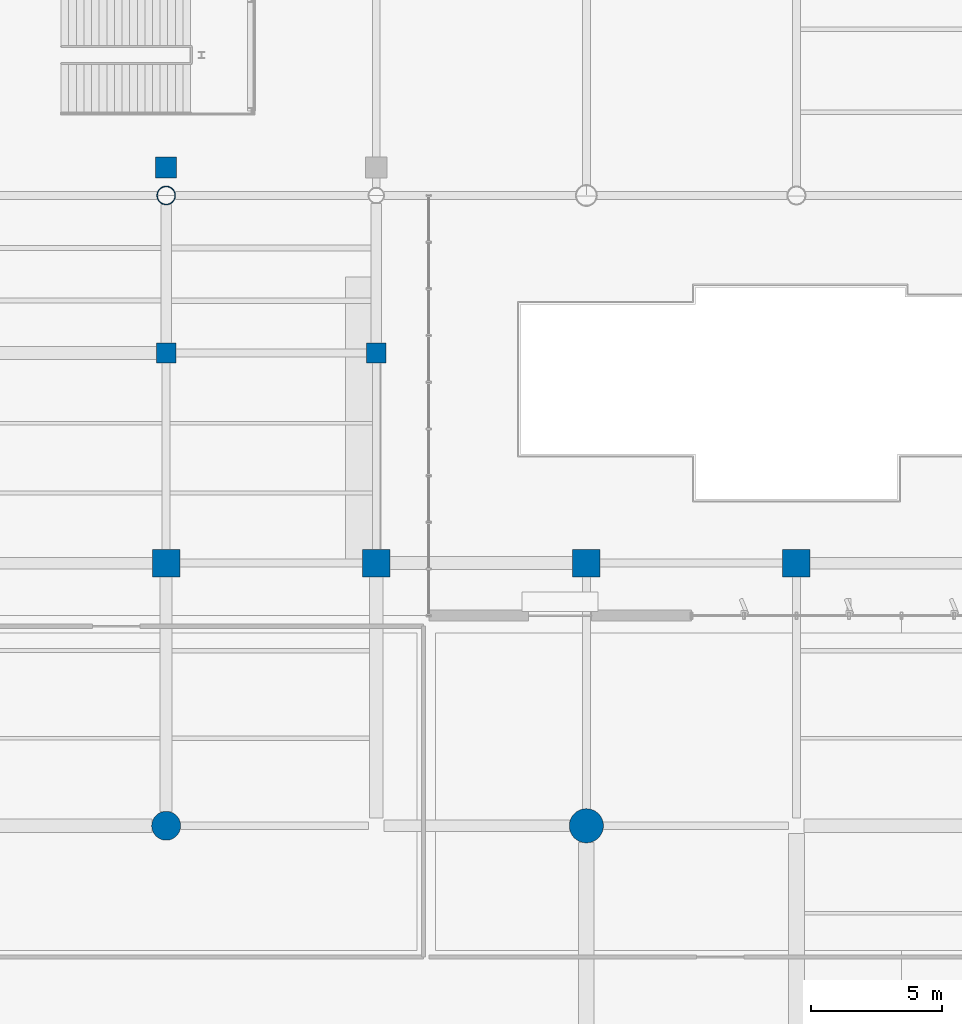
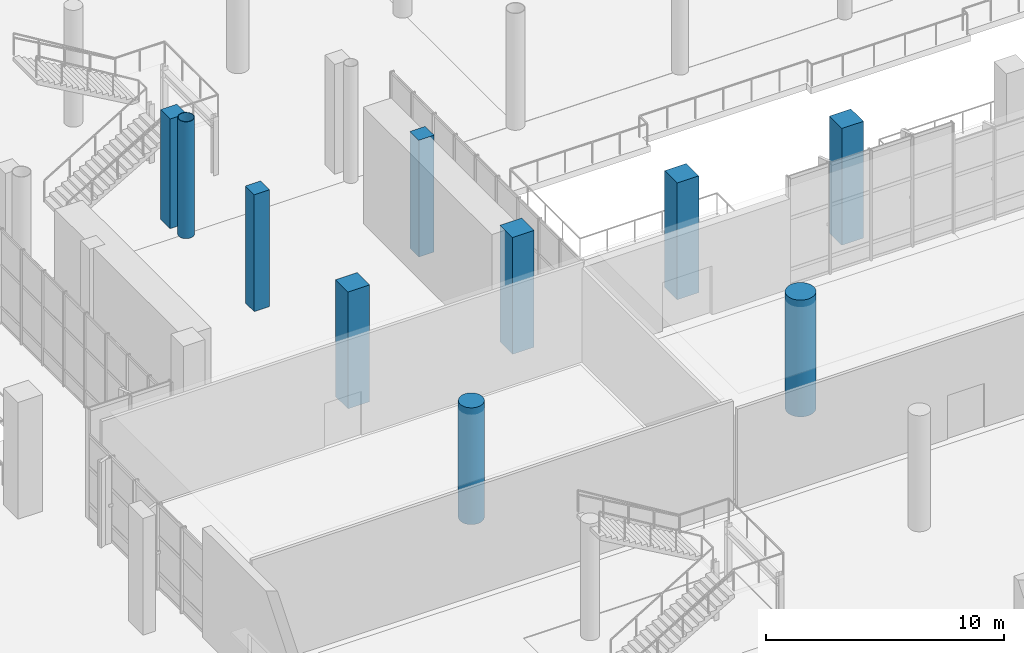
# One storey, part 13 of 163: 10 columns.
"""IFC4 building model written with IfcOpenShell, lengths in metres."""

from ifc_helpers import new_model, si_unit, direction, frame, origin, origin_2d, place, context, subcontext, project, spatial, rectangle, circle, hollow_circle, extrude, material, material_profile, profile_set, type_object, element, save


model = new_model("IFC4")

# Units and contexts
model_context = context("Model", 3, precision=1e-05, world=origin(), true_north=direction((0.0, 1.0)))
body_context = subcontext(model_context, "Body", "Model", "MODEL_VIEW")
ifc_project = project(units=[si_unit("LENGTHUNIT", "METRE"), si_unit("AREAUNIT", "SQUARE_METRE"), si_unit("VOLUMEUNIT", "CUBIC_METRE"), si_unit("PLANEANGLEUNIT", "RADIAN"), si_unit("MASSUNIT", "GRAM", prefix="KILO")], contexts=[model_context])

# Site, building, storey
site_placement = place(None, origin())
site = spatial("IfcSite", under=ifc_project, at=site_placement, CompositionType="ELEMENT")
building_placement = place(site_placement, origin())
building = spatial("IfcBuilding", under=site, at=building_placement, Name="Khorjan Park Terminus", CompositionType="ELEMENT")
storey_placement = place(building_placement, origin())
storey = spatial("IfcBuildingStorey", under=building, at=storey_placement, Name="L00", CompositionType="ELEMENT", Elevation=0.0)

# Columns
ifc_material_1 = material(Name="Concrete C50/60", Category="concrete")
ifc_material_profile_1 = material_profile(ifc_material_1, rectangle(XDim=1.05, YDim=1.05, at=origin_2d()), Name="RC 1050x1050")
ifc_profile_set_1 = profile_set([ifc_material_profile_1], Name="Concrete C50/60")
column_type_1 = type_object("IfcColumnType", Name="COL-RC1050", PredefinedType="COLUMN", material=ifc_profile_set_1)
for number, where, z_axis, x_axis, name in (
    (1, (64.0, 88.0, 0.0), (0.0, 0.0, 1.0), (1.0, 0.0, 0.0), "Structural column C-RC105 (L00 #304)"),
    (2, (72.0, 88.0, 0.0), (0.0, 0.0, 1.0), (1.0, 0.0, 0.0), "Structural column C-RC105 (L00 #320)"),
    (3, (80.0, 88.0, 0.0), (0.0, 0.0, 1.0), (1.0, 0.0, 0.0), "Structural column C-RC105 (L00 #341)"),
    (4, (88.0, 88.0, 0.0), (0.0, 0.0, 1.0), (1.0, 0.0, 0.0), "Structural column C-RC105 (L00 #357)"),
):
    element("IfcColumn", number, at=place(storey_placement, frame(where, z_axis=z_axis, x_axis=x_axis)), inside=storey, type_object=column_type_1, Name=name, PredefinedType="COLUMN", context=body_context, shape_type="SweptSolid", body=[
        extrude(rectangle(XDim=1.05, YDim=1.05, at=origin_2d()), origin(), (0.0, 0.0, 1.0), 6.0),
    ])
ifc_material_2 = material(Name="Concrete C40/50", Category="concrete")
ifc_material_profile_2 = material_profile(ifc_material_2, rectangle(XDim=0.75, YDim=0.75, at=origin_2d()), Name="RC 750x750")
ifc_profile_set_2 = profile_set([ifc_material_profile_2], Name="Concrete C40/50")
column_type_2 = type_object("IfcColumnType", Name="COL-RC750", PredefinedType="COLUMN", material=ifc_profile_set_2)
for number, where, z_axis, x_axis, name in (
    (5, (64.0, 96.0, 0.0), (0.0, 0.0, 1.0), (1.0, 0.0, 0.0), "Structural column C-RC75 (L00 #511)"),
    (6, (72.0, 96.0, 0.0), (0.0, 0.0, 1.0), (1.0, 0.0, 0.0), "Structural column C-RC75 (L00 #515)"),
):
    element("IfcColumn", number, at=place(storey_placement, frame(where, z_axis=z_axis, x_axis=x_axis)), inside=storey, type_object=column_type_2, Name=name, PredefinedType="COLUMN", context=body_context, shape_type="SweptSolid", body=[
        extrude(rectangle(XDim=0.75, YDim=0.75, at=origin_2d()), origin(), (0.0, 0.0, 1.0), 6.0),
    ])
ifc_material_profile_3 = material_profile(ifc_material_2, rectangle(XDim=0.8, YDim=0.8, at=origin_2d()), Name="RC 800x800")
ifc_profile_set_3 = profile_set([ifc_material_profile_3], Name="Concrete C40/50")
column_type_3 = type_object("IfcColumnType", Name="COL-RC800", PredefinedType="COLUMN", material=ifc_profile_set_3)
column_1_placement = place(storey_placement, frame((64.0, 103.06, 0.0), z_axis=(0.0, 0.0, 1.0), x_axis=(1.0, 0.0, 0.0)))
element("IfcColumn", 7, at=column_1_placement, inside=storey, type_object=column_type_3, Name="Structural column C-RC08 (L00 #513)", PredefinedType="COLUMN", context=body_context, shape_type="SweptSolid", body=[
    extrude(rectangle(XDim=0.8, YDim=0.8, at=origin_2d()), origin(), (0.0, 0.0, 1.0), 5.64),
])
ifc_material_profile_4 = material_profile(ifc_material_1, circle(Radius=0.55, at=origin_2d()), Name="RC D1100")
ifc_profile_set_4 = profile_set([ifc_material_profile_4], Name="Concrete C50/60")
column_type_4 = type_object("IfcColumnType", Name="COL-RD1100", PredefinedType="COLUMN", material=ifc_profile_set_4)
column_2_placement = place(storey_placement, frame((64.0, 78.0, 0.0), z_axis=(0.0, 0.0, 1.0), x_axis=(1.0, 0.0, 0.0)))
element("IfcColumn", 8, at=column_2_placement, inside=storey, type_object=column_type_4, Name="Structural column C-RD11 (L00 #301)", PredefinedType="COLUMN", context=body_context, shape_type="SweptSolid", body=[
    extrude(circle(Radius=0.55, at=origin_2d()), origin(), (0.0, 0.0, 1.0), 6.0),
])
ifc_material_profile_5 = material_profile(ifc_material_1, circle(Radius=0.65, at=origin_2d()), Name="RC D1300")
ifc_profile_set_5 = profile_set([ifc_material_profile_5], Name="Concrete C50/60")
column_type_5 = type_object("IfcColumnType", Name="COL-RD1300", PredefinedType="COLUMN", material=ifc_profile_set_5)
column_3_placement = place(storey_placement, frame((80.0, 78.0, 0.0), z_axis=(0.0, 0.0, 1.0), x_axis=(1.0, 0.0, 0.0)))
element("IfcColumn", 9, at=column_3_placement, inside=storey, type_object=column_type_5, Name="Structural column C-RD13 (L00 #338)", PredefinedType="COLUMN", context=body_context, shape_type="SweptSolid", body=[
    extrude(circle(Radius=0.65, at=origin_2d()), origin(), (0.0, 0.0, 1.0), 6.0),
])
ifc_material_3 = material(Name="Steel S355", Category="steel")
ifc_material_profile_6 = material_profile(ifc_material_3, hollow_circle(Radius=0.3555, WallThickness=0.025, at=origin_2d()), Name="CHS 711x25")
ifc_profile_set_6 = profile_set([ifc_material_profile_6], Name="Steel S355")
column_type_6 = type_object("IfcColumnType", Name="COL-SH711E", PredefinedType="COLUMN", material=ifc_profile_set_6)
column_4_placement = place(storey_placement, frame((64.0, 102.0, 0.0), z_axis=(0.0, 0.0, 1.0), x_axis=(1.0, 0.0, 0.0)))
element("IfcColumn", 10, at=column_4_placement, inside=storey, type_object=column_type_6, Name="Structural column SC-71 (L00 #88)", PredefinedType="COLUMN", context=body_context, shape_type="SweptSolid", body=[
    extrude(hollow_circle(Radius=0.3555, WallThickness=0.025, at=origin_2d()), origin(), (0.0, 0.0, 1.0), 6.0),
])

save(model, "model.ifc")
